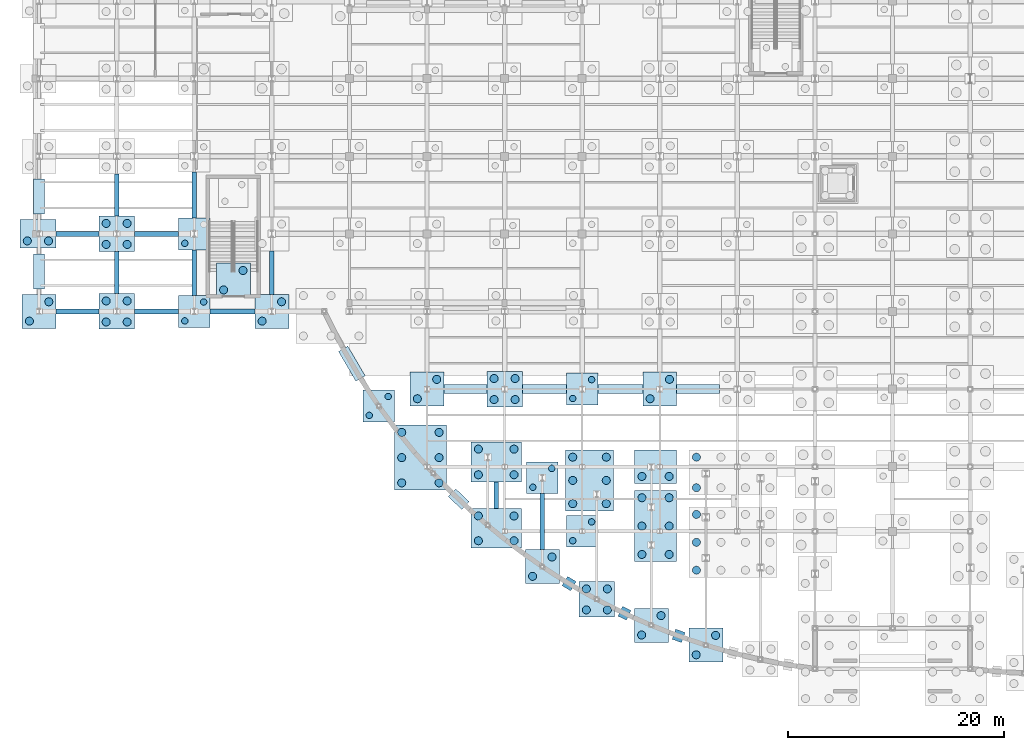
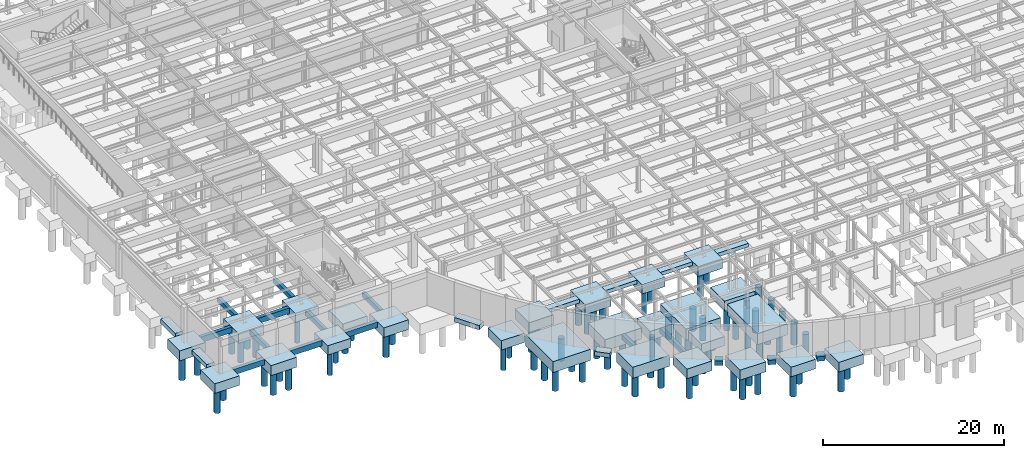
# One storey, part 1 of 64: 78 piles, 48 footings.
"""IFC4 building model written with IfcOpenShell, lengths in metres."""

from ifc_helpers import new_model, si_unit, direction, frame, origin, origin_2d, place, context, subcontext, project, spatial, rectangle, circle, extrude, material, material_profile, profile_set, type_object, element, save


model = new_model("IFC4")

# Units and contexts
model_context = context("Model", 3, precision=1e-05, world=origin(), true_north=direction((0.0, 1.0)))
body_context = subcontext(model_context, "Body", "Model", "MODEL_VIEW")
ifc_project = project(units=[si_unit("LENGTHUNIT", "METRE"), si_unit("AREAUNIT", "SQUARE_METRE"), si_unit("VOLUMEUNIT", "CUBIC_METRE"), si_unit("PLANEANGLEUNIT", "RADIAN"), si_unit("MASSUNIT", "GRAM", prefix="KILO")], contexts=[model_context])

# Site, building, storey
site_placement = place(None, origin())
site = spatial("IfcSite", under=ifc_project, at=site_placement, CompositionType="ELEMENT")
building_placement = place(site_placement, origin())
building = spatial("IfcBuilding", under=site, at=building_placement, Name="Solvadek Multi-Sports Hall", CompositionType="ELEMENT")
storey_placement = place(building_placement, frame((0.0, 0.0, -4.800048828125)))
storey = spatial("IfcBuildingStorey", under=building, at=storey_placement, Name="B1", CompositionType="ELEMENT", Elevation=-4.800048828125)

# Footings
ifc_material_1 = material(Name="Concrete M40", Category="concrete")
footing_type_1 = type_object("IfcFootingType", Name="STR-CAP-295X295X125", PredefinedType="PILE_CAP", material=ifc_material_1)
for number, where, z_axis, x_axis, name in (
    (1, (50.39990234375, 0.0, -1.25), (0.0, 0.0, 1.0), (1.0, 0.0, 0.0), "Pile Cap PC-14 #28"),
    (2, (46.697021484375, 4.960693359375, -1.25), (0.0, 0.0, 1.0), (1.0, 0.0, 0.0), "Pile Cap PC-14 #34"),
    (3, (31.51513671875, 11.63232421875, -1.25), (0.0, 0.0, 1.0), (1.0, 0.0, 0.0), "Pile Cap PC-14 #46"),
    (4, (50.39990234375, 13.199951171875, -1.25), (0.0, 0.0, 1.0), (1.0, 0.0, 0.0), "Pile Cap PC-14 #52"),
    (5, (14.39990234375, 20.39990234375, -1.25), (0.0, 0.0, 1.0), (1.0, 0.0, 0.0), "Pile Cap PC-14 #67"),
    (6, (14.39990234375, 27.60009765625, -1.25), (0.0, 0.0, 1.0), (1.0, 0.0, 0.0), "Pile Cap PC-14 #88"),
):
    element("IfcFooting", number, at=place(storey_placement, frame(where, z_axis=z_axis, x_axis=x_axis)), inside=storey, type_object=footing_type_1, Name=name, PredefinedType="PILE_CAP", context=body_context, shape_type="SweptSolid", body=[
        extrude(rectangle(XDim=2.949951171875, YDim=2.949951171875, at=origin_2d()), origin(), (0.0, 0.0, 1.0), 1.25),
    ])
footing_type_2 = type_object("IfcFootingType", Name="STR-CAP-315X315X130", PredefinedType="PILE_CAP", material=ifc_material_1)
for number, where, z_axis, x_axis, name in (
    (7, (61.87890625, -10.562744140625, -1.2998046875), (0.0, 0.0, 1.0), (1.0, 0.0, 0.0), "Pile Cap PC-15 #8"),
    (8, (56.818115234375, -8.72412109375, -1.2998046875), (0.0, 0.0, 1.0), (1.0, 0.0, 0.0), "Pile Cap PC-15 #11"),
    (9, (46.697021484375, -3.2783203125, -1.2998046875), (0.0, 0.0, 1.0), (1.0, 0.0, 0.0), "Pile Cap PC-15 #20"),
    (10, (36.0, 13.199951171875, -1.2998046875), (0.0, 0.0, 1.0), (1.0, 0.0, 0.0), "Pile Cap PC-15 #50"),
    (11, (57.60009765625, 13.199951171875, -1.2998046875), (0.0, 0.0, 1.0), (1.0, 0.0, 0.0), "Pile Cap PC-15 #53"),
    (12, (0.0, 20.39990234375, -1.2998046875), (0.0, 0.0, 1.0), (1.0, 0.0, 0.0), "Pile Cap PC-15 #65"),
    (13, (21.60009765625, 20.39990234375, -1.2998046875), (0.0, 0.0, 1.0), (1.0, 0.0, 0.0), "Pile Cap PC-15 #68"),
    (14, (18.02490234375, 23.300048828125, -1.2998046875), (0.0, 0.0, 1.0), (1.0, 0.0, 0.0), "Pile Cap PC-15 #81"),
):
    element("IfcFooting", number, at=place(storey_placement, frame(where, z_axis=z_axis, x_axis=x_axis)), inside=storey, type_object=footing_type_2, Name=name, PredefinedType="PILE_CAP", context=body_context, shape_type="SweptSolid", body=[
        extrude(rectangle(XDim=3.14990234375, YDim=3.14990234375, at=origin_2d()), origin(), (0.0, 0.0, 1.0), 1.300048828125),
    ])
footing_type_3 = type_object("IfcFootingType", Name="STR-CAP-330X330X135", PredefinedType="PILE_CAP", material=ifc_material_1)
for number, where, z_axis, x_axis, name in (
    (15, (51.757568359375, -6.323974609375, -1.35009765625), (0.0, 0.0, 1.0), (1.0, 0.0, 0.0), "Pile Cap PC-04 #12"),
    (16, (43.199951171875, 13.199951171875, -1.35009765625), (0.0, 0.0, 1.0), (1.0, 0.0, 0.0), "Pile Cap PC-04 #51"),
    (17, (7.199951171875, 20.39990234375, -1.35009765625), (0.0, 0.0, 1.0), (1.0, 0.0, 0.0), "Pile Cap PC-04 #66"),
    (18, (7.199951171875, 27.60009765625, -1.35009765625), (0.0, 0.0, 1.0), (1.0, 0.0, 0.0), "Pile Cap PC-04 #87"),
):
    element("IfcFooting", number, at=place(storey_placement, frame(where, z_axis=z_axis, x_axis=x_axis)), inside=storey, type_object=footing_type_3, Name=name, PredefinedType="PILE_CAP", context=body_context, shape_type="SweptSolid", body=[
        extrude(rectangle(XDim=3.300048828125, YDim=3.300048828125, at=origin_2d()), origin(), (0.0, 0.0, 1.0), 1.35009765625),
    ])
footing_type_4 = type_object("IfcFootingType", Name="STR-CAP-CMB-332X266", PredefinedType="PILE_CAP", material=ifc_material_1)
footing_1_placement = place(storey_placement, frame((-0.110107421875, 27.60009765625, -1.35009765625), z_axis=(0.0, 0.0, 1.0), x_axis=(1.0, 0.0, 0.0)))
element("IfcFooting", 19, at=footing_1_placement, inside=storey, type_object=footing_type_4, Name="Pile Cap PC-R86 #86", PredefinedType="PILE_CAP", context=body_context, shape_type="SweptSolid", body=[
    extrude(rectangle(XDim=3.320068359375, YDim=2.659912109375, at=origin_2d()), origin(), (0.0, 0.0, 1.0), 1.35009765625),
])
footing_type_5 = type_object("IfcFootingType", Name="STR-CAP-CMB-388X313", PredefinedType="PILE_CAP", material=ifc_material_1)
footing_2_placement = place(storey_placement, frame((57.208984375, 5.982421875, -1.35009765625), z_axis=(0.0, 0.0, 1.0), x_axis=(1.0, 0.0, 0.0)))
element("IfcFooting", 20, at=footing_2_placement, inside=storey, type_object=footing_type_5, Name="Pile Cap PC-R42 #42", PredefinedType="PILE_CAP", context=body_context, shape_type="SweptSolid", body=[
    extrude(rectangle(XDim=3.8798828125, YDim=3.1298828125, at=origin_2d()), origin(), (0.0, 0.0, 1.0), 1.35009765625),
])
footing_type_6 = type_object("IfcFootingType", Name="STR-CAP-CMB-466X365", PredefinedType="PILE_CAP", material=ifc_material_1)
footing_3_placement = place(storey_placement, frame((42.418212890625, 0.272705078125, -1.5), z_axis=(0.0, 0.0, 1.0), x_axis=(1.0, 0.0, 0.0)))
element("IfcFooting", 21, at=footing_3_placement, inside=storey, type_object=footing_type_6, Name="Pile Cap PC-R27 #27", PredefinedType="PILE_CAP", context=body_context, shape_type="SweptSolid", body=[
    extrude(rectangle(XDim=4.659912109375, YDim=3.64990234375, at=origin_2d()), origin(), (0.0, 0.0, 1.0), 1.5),
])
footing_type_7 = type_object("IfcFootingType", Name="STR-CAP-CMB-466X373", PredefinedType="PILE_CAP", material=ifc_material_1)
footing_4_placement = place(storey_placement, frame((42.418212890625, 6.436279296875, -1.5), z_axis=(0.0, 0.0, 1.0), x_axis=(1.0, 0.0, 0.0)))
element("IfcFooting", 22, at=footing_4_placement, inside=storey, type_object=footing_type_7, Name="Pile Cap PC-R43 #43", PredefinedType="PILE_CAP", context=body_context, shape_type="SweptSolid", body=[
    extrude(rectangle(XDim=4.659912109375, YDim=3.72998046875, at=origin_2d()), origin(), (0.0, 0.0, 1.0), 1.5),
])
footing_type_8 = type_object("IfcFootingType", Name="STR-CAP-CMB-566X446", PredefinedType="PILE_CAP", material=ifc_material_1)
footing_5_placement = place(storey_placement, frame((51.078857421875, 4.718994140625, -1.5), z_axis=(0.0, 0.0, 1.0), x_axis=(0.0, 1.0, 0.0)))
element("IfcFooting", 23, at=footing_5_placement, inside=storey, type_object=footing_type_8, Name="Pile Cap PC-R31 #31", PredefinedType="PILE_CAP", context=body_context, shape_type="SweptSolid", body=[
    extrude(rectangle(XDim=5.659912109375, YDim=4.4599609375, at=origin_2d()), origin(), (0.0, 0.0, 1.0), 1.5),
])
footing_type_9 = type_object("IfcFootingType", Name="STR-CAP-CMB-603X482", PredefinedType="PILE_CAP", material=ifc_material_1)
footing_6_placement = place(storey_placement, frame((35.387939453125, 6.835693359375, -1.5), z_axis=(0.0, 0.0, 1.0), x_axis=(0.0, 1.0, 0.0)))
element("IfcFooting", 24, at=footing_6_placement, inside=storey, type_object=footing_type_9, Name="Pile Cap PC-R35 #35", PredefinedType="PILE_CAP", context=body_context, shape_type="SweptSolid", body=[
    extrude(rectangle(XDim=6.030029296875, YDim=4.820068359375, at=origin_2d()), origin(), (0.0, 0.0, 1.0), 1.5),
])
footing_type_10 = type_object("IfcFootingType", Name="STR-CAP-CMB-661X388", PredefinedType="PILE_CAP", material=ifc_material_1)
footing_7_placement = place(storey_placement, frame((57.208984375, 0.48388671875, -1.5), z_axis=(0.0, 0.0, 1.0), x_axis=(0.0, 1.0, 0.0)))
element("IfcFooting", 25, at=footing_7_placement, inside=storey, type_object=footing_type_10, Name="Pile Cap PC-R24 #24", PredefinedType="PILE_CAP", context=body_context, shape_type="SweptSolid", body=[
    extrude(rectangle(XDim=6.610107421875, YDim=3.8798828125, at=origin_2d()), origin(), (0.0, 0.0, 1.0), 1.5),
])
footing_type_11 = type_object("IfcFootingType", Name="STR-FTB-400X650", PredefinedType="FOOTING_BEAM", material=ifc_material_1)
for number, where, z_axis, x_axis, name in (
    (26, (7.199951171875, 24.0, -0.64990234375), (0.0, 0.0, 1.0), (0.0, 1.0, 0.0), "Foundation Beam FB-01 #219"),
    (27, (7.199951171875, 31.199951171875, -0.64990234375), (0.0, 0.0, 1.0), (0.0, 1.0, 0.0), "Foundation Beam FB-01 #220"),
):
    element("IfcFooting", number, at=place(storey_placement, frame(where, z_axis=z_axis, x_axis=x_axis)), inside=storey, type_object=footing_type_11, Name=name, PredefinedType="FOOTING_BEAM", context=body_context, shape_type="SweptSolid", body=[
        extrude(rectangle(XDim=3.89990234375, YDim=0.39990234375, at=origin_2d()), origin(), (0.0, 0.0, 1.0), 0.64990234375),
    ])
for number, where, z_axis, x_axis, name in (
    (28, (14.39990234375, 24.0, -0.64990234375), (0.0, 0.0, 1.0), (0.0, 1.0, 0.0), "Foundation Beam FB-01 #229"),
    (29, (14.39990234375, 31.199951171875, -0.64990234375), (0.0, 0.0, 1.0), (0.0, 1.0, 0.0), "Foundation Beam FB-01 #230"),
):
    element("IfcFooting", number, at=place(storey_placement, frame(where, z_axis=z_axis, x_axis=x_axis)), inside=storey, type_object=footing_type_11, Name=name, PredefinedType="FOOTING_BEAM", context=body_context, shape_type="SweptSolid", body=[
        extrude(rectangle(XDim=4.25, YDim=0.39990234375, at=origin_2d()), origin(), (0.0, 0.0, 1.0), 0.64990234375),
    ])
footing_8_placement = place(storey_placement, frame((21.60009765625, 24.0, -0.64990234375), z_axis=(0.0, 0.0, 1.0), x_axis=(0.0, 1.0, 0.0)))
element("IfcFooting", 30, at=footing_8_placement, inside=storey, type_object=footing_type_11, Name="Foundation Beam FB-01 #238", PredefinedType="FOOTING_BEAM", context=body_context, shape_type="SweptSolid", body=[
    extrude(rectangle(XDim=4.050048828125, YDim=0.39990234375, at=origin_2d()), origin(), (0.0, 0.0, 1.0), 0.64990234375),
])
footing_9_placement = place(storey_placement, frame((42.418212890625, 3.33447265625, -0.64990234375), z_axis=(0.0, 0.0, 1.0), x_axis=(0.0, 1.0, 0.0)))
element("IfcFooting", 31, at=footing_9_placement, inside=storey, type_object=footing_type_11, Name="Foundation Beam FB-01 #274", PredefinedType="FOOTING_BEAM", context=body_context, shape_type="SweptSolid", body=[
    extrude(rectangle(XDim=2.4736328125, YDim=0.39990234375, at=origin_2d()), origin(), (0.0, 0.0, 1.0), 0.64990234375),
])
footing_10_placement = place(storey_placement, frame((46.697021484375, 0.891357421875, -0.64990234375), z_axis=(0.0, 0.0, 1.0), x_axis=(0.0, 1.0, 0.0)))
element("IfcFooting", 32, at=footing_10_placement, inside=storey, type_object=footing_type_11, Name="Foundation Beam FB-01 #288", PredefinedType="FOOTING_BEAM", context=body_context, shape_type="SweptSolid", body=[
    extrude(rectangle(XDim=5.189208984375, YDim=0.39990234375, at=origin_2d()), origin(), (0.0, 0.0, 1.0), 0.64990234375),
])
footing_type_12 = type_object("IfcFootingType", Name="STR-FTB-450X750", PredefinedType="FOOTING_BEAM", material=ifc_material_1)
footing_11_placement = place(storey_placement, frame((3.5625, 20.39990234375, -0.75), z_axis=(0.0, 0.0, 1.0), x_axis=(1.0, 0.0, 0.0)))
element("IfcFooting", 33, at=footing_11_placement, inside=storey, type_object=footing_type_12, Name="Foundation Beam FB-02 #23", PredefinedType="FOOTING_BEAM", context=body_context, shape_type="SweptSolid", body=[
    extrude(rectangle(XDim=3.97509765625, YDim=0.449951171875, at=origin_2d()), origin(), (0.0, 0.0, 1.0), 0.75),
])
footing_12_placement = place(storey_placement, frame((10.887451171875, 20.39990234375, -0.75), z_axis=(0.0, 0.0, 1.0), x_axis=(1.0, 0.0, 0.0)))
element("IfcFooting", 34, at=footing_12_placement, inside=storey, type_object=footing_type_12, Name="Foundation Beam FB-02 #24", PredefinedType="FOOTING_BEAM", context=body_context, shape_type="SweptSolid", body=[
    extrude(rectangle(XDim=4.074951171875, YDim=0.449951171875, at=origin_2d()), origin(), (0.0, 0.0, 1.0), 0.75),
])
footing_13_placement = place(storey_placement, frame((17.949951171875, 20.39990234375, -0.75), z_axis=(0.0, 0.0, 1.0), x_axis=(1.0, 0.0, 0.0)))
element("IfcFooting", 35, at=footing_13_placement, inside=storey, type_object=footing_type_12, Name="Foundation Beam FB-02 #25", PredefinedType="FOOTING_BEAM", context=body_context, shape_type="SweptSolid", body=[
    extrude(rectangle(XDim=4.14990234375, YDim=0.449951171875, at=origin_2d()), origin(), (0.0, 0.0, 1.0), 0.75),
])
footing_14_placement = place(storey_placement, frame((3.550048828125, 27.60009765625, -0.75), z_axis=(0.0, 0.0, 1.0), x_axis=(1.0, 0.0, 0.0)))
element("IfcFooting", 36, at=footing_14_placement, inside=storey, type_object=footing_type_12, Name="Foundation Beam FB-02 #39", PredefinedType="FOOTING_BEAM", context=body_context, shape_type="SweptSolid", body=[
    extrude(rectangle(XDim=4.0, YDim=0.449951171875, at=origin_2d()), origin(), (0.0, 0.0, 1.0), 0.75),
])
footing_15_placement = place(storey_placement, frame((10.887451171875, 27.60009765625, -0.75), z_axis=(0.0, 0.0, 1.0), x_axis=(1.0, 0.0, 0.0)))
element("IfcFooting", 37, at=footing_15_placement, inside=storey, type_object=footing_type_12, Name="Foundation Beam FB-02 #40", PredefinedType="FOOTING_BEAM", context=body_context, shape_type="SweptSolid", body=[
    extrude(rectangle(XDim=4.074951171875, YDim=0.449951171875, at=origin_2d()), origin(), (0.0, 0.0, 1.0), 0.75),
])

# Piles
ifc_material_2 = material(Name="Concrete M35", Category="concrete")
ifc_material_profile_1 = material_profile(ifc_material_2, circle(Radius=0.300048828125, at=origin_2d()), Name="BORED PILE D600")
ifc_profile_set_1 = profile_set([ifc_material_profile_1], Name="Concrete M35")
pile_type_1 = type_object("IfcPileType", Name="STR-PILE-D600", PredefinedType="BORED", material=ifc_profile_set_1)
for number, where, z_axis, x_axis, name in (
    (38, (49.52490234375, -0.875, -1.14990234375), (0.0, 0.0, -1.0), (1.0, 0.0, 0.0), "Bored Pile PL-600 #140"),
    (39, (51.27490234375, 0.875, -1.14990234375), (0.0, 0.0, -1.0), (1.0, 0.0, 0.0), "Bored Pile PL-600 #141"),
    (40, (45.822021484375, 4.085693359375, -1.14990234375), (0.0, 0.0, -1.0), (1.0, 0.0, 0.0), "Bored Pile PL-600 #164"),
    (41, (47.572021484375, 5.835693359375, -1.14990234375), (0.0, 0.0, -1.0), (1.0, 0.0, 0.0), "Bored Pile PL-600 #165"),
    (42, (30.64013671875, 10.75732421875, -1.14990234375), (0.0, 0.0, -1.0), (1.0, 0.0, 0.0), "Bored Pile PL-600 #208"),
    (43, (32.39013671875, 12.50732421875, -1.14990234375), (0.0, 0.0, -1.0), (1.0, 0.0, 0.0), "Bored Pile PL-600 #209"),
    (44, (49.52490234375, 12.324951171875, -1.14990234375), (0.0, 0.0, -1.0), (1.0, 0.0, 0.0), "Bored Pile PL-600 #228"),
    (45, (51.27490234375, 14.074951171875, -1.14990234375), (0.0, 0.0, -1.0), (1.0, 0.0, 0.0), "Bored Pile PL-600 #229"),
    (46, (13.52490234375, 19.52490234375, -1.14990234375), (0.0, 0.0, -1.0), (1.0, 0.0, 0.0), "Bored Pile PL-600 #272"),
    (47, (15.27490234375, 21.27490234375, -1.14990234375), (0.0, 0.0, -1.0), (1.0, 0.0, 0.0), "Bored Pile PL-600 #273"),
    (48, (13.52490234375, 26.72509765625, -1.14990234375), (0.0, 0.0, -1.0), (1.0, 0.0, 0.0), "Bored Pile PL-600 #324"),
):
    element("IfcPile", number, at=place(storey_placement, frame(where, z_axis=z_axis, x_axis=x_axis)), inside=storey, type_object=pile_type_1, Name=name, PredefinedType="BORED", context=body_context, shape_type="SweptSolid", body=[
        extrude(circle(Radius=0.300048828125, at=origin_2d()), origin(), (0.0, 0.0, 1.0), 3.25),
    ])
ifc_material_profile_2 = material_profile(ifc_material_2, circle(Radius=0.375, at=origin_2d()), Name="BORED PILE D750")
ifc_profile_set_2 = profile_set([ifc_material_profile_2], Name="Concrete M35")
pile_type_2 = type_object("IfcPileType", Name="STR-PILE-D750", PredefinedType="BORED", material=ifc_profile_set_2)
for number, where, z_axis, x_axis, name in (
    (49, (60.978759765625, -11.462646484375, -1.199951171875), (0.0, 0.0, -1.0), (1.0, 0.0, 0.0), "Bored Pile PL-750 #39"),
    (50, (62.77880859375, -9.66259765625, -1.199951171875), (0.0, 0.0, -1.0), (1.0, 0.0, 0.0), "Bored Pile PL-750 #40"),
    (51, (55.918212890625, -9.624267578125, -1.199951171875), (0.0, 0.0, -1.0), (1.0, 0.0, 0.0), "Bored Pile PL-750 #51"),
    (52, (57.71826171875, -7.82421875, -1.199951171875), (0.0, 0.0, -1.0), (1.0, 0.0, 0.0), "Bored Pile PL-750 #52"),
):
    element("IfcPile", number, at=place(storey_placement, frame(where, z_axis=z_axis, x_axis=x_axis)), inside=storey, type_object=pile_type_2, Name=name, PredefinedType="BORED", context=body_context, shape_type="SweptSolid", body=[
        extrude(circle(Radius=0.375, at=origin_2d()), origin(), (0.0, 0.0, 1.0), 3.199951171875),
    ])
for number, where, z_axis, x_axis, name in (
    (53, (50.78271484375, -7.299072265625, -1.25), (0.0, 0.0, -1.0), (1.0, 0.0, 0.0), "Bored Pile PL-750 #53"),
    (54, (50.78271484375, -5.34912109375, -1.25), (0.0, 0.0, -1.0), (1.0, 0.0, 0.0), "Bored Pile PL-750 #54"),
    (55, (52.732666015625, -7.299072265625, -1.25), (0.0, 0.0, -1.0), (1.0, 0.0, 0.0), "Bored Pile PL-750 #55"),
    (56, (52.732666015625, -5.34912109375, -1.25), (0.0, 0.0, -1.0), (1.0, 0.0, 0.0), "Bored Pile PL-750 #56"),
):
    element("IfcPile", number, at=place(storey_placement, frame(where, z_axis=z_axis, x_axis=x_axis)), inside=storey, type_object=pile_type_2, Name=name, PredefinedType="BORED", context=body_context, shape_type="SweptSolid", body=[
        extrude(circle(Radius=0.375, at=origin_2d()), origin(), (0.0, 0.0, 1.0), 3.14990234375),
    ])
for number, where, z_axis, x_axis, name in (
    (57, (61.004150390625, -3.61181640625, -1.39990234375), (0.0, 0.0, -1.0), (1.0, 0.0, 0.0), "Bored Pile PL-750 #73"),
    (58, (61.004150390625, -1.021728515625, -1.39990234375), (0.0, 0.0, -1.0), (1.0, 0.0, 0.0), "Bored Pile PL-750 #74"),
    (59, (61.004150390625, 1.568359375, -1.39990234375), (0.0, 0.0, -1.0), (1.0, 0.0, 0.0), "Bored Pile PL-750 #75"),
):
    element("IfcPile", number, at=place(storey_placement, frame(where, z_axis=z_axis, x_axis=x_axis)), inside=storey, type_object=pile_type_2, Name=name, PredefinedType="BORED", context=body_context, shape_type="SweptSolid", body=[
        extrude(circle(Radius=0.375, at=origin_2d()), origin(), (0.0, 0.0, 1.0), 3.0),
    ])
for number, where, z_axis, x_axis, name in (
    (60, (45.797119140625, -4.17822265625, -1.199951171875), (0.0, 0.0, -1.0), (1.0, 0.0, 0.0), "Bored Pile PL-750 #87"),
    (61, (47.596923828125, -2.37841796875, -1.199951171875), (0.0, 0.0, -1.0), (1.0, 0.0, 0.0), "Bored Pile PL-750 #88"),
):
    element("IfcPile", number, at=place(storey_placement, frame(where, z_axis=z_axis, x_axis=x_axis)), inside=storey, type_object=pile_type_2, Name=name, PredefinedType="BORED", context=body_context, shape_type="SweptSolid", body=[
        extrude(circle(Radius=0.375, at=origin_2d()), origin(), (0.0, 0.0, 1.0), 3.199951171875),
    ])
for number, where, z_axis, x_axis, name in (
    (62, (55.944091796875, -2.14599609375, -1.39990234375), (0.0, 0.0, -1.0), (1.0, 0.0, 0.0), "Bored Pile PL-750 #125"),
    (63, (55.944091796875, 0.48388671875, -1.39990234375), (0.0, 0.0, -1.0), (1.0, 0.0, 0.0), "Bored Pile PL-750 #126"),
    (64, (55.944091796875, 3.114013671875, -1.39990234375), (0.0, 0.0, -1.0), (1.0, 0.0, 0.0), "Bored Pile PL-750 #127"),
    (65, (58.47412109375, -2.14599609375, -1.39990234375), (0.0, 0.0, -1.0), (1.0, 0.0, 0.0), "Bored Pile PL-750 #128"),
    (66, (58.47412109375, 0.48388671875, -1.39990234375), (0.0, 0.0, -1.0), (1.0, 0.0, 0.0), "Bored Pile PL-750 #129"),
    (67, (58.47412109375, 3.114013671875, -1.39990234375), (0.0, 0.0, -1.0), (1.0, 0.0, 0.0), "Bored Pile PL-750 #130"),
    (68, (40.76318359375, -0.87744140625, -1.39990234375), (0.0, 0.0, -1.0), (1.0, 0.0, 0.0), "Bored Pile PL-750 #136"),
    (69, (40.76318359375, 1.422607421875, -1.39990234375), (0.0, 0.0, -1.0), (1.0, 0.0, 0.0), "Bored Pile PL-750 #137"),
    (70, (44.0732421875, -0.87744140625, -1.39990234375), (0.0, 0.0, -1.0), (1.0, 0.0, 0.0), "Bored Pile PL-750 #138"),
    (71, (44.0732421875, 1.422607421875, -1.39990234375), (0.0, 0.0, -1.0), (1.0, 0.0, 0.0), "Bored Pile PL-750 #139"),
    (72, (49.523681640625, 2.56396484375, -1.39990234375), (0.0, 0.0, -1.0), (1.0, 0.0, 0.0), "Bored Pile PL-750 #146"),
    (73, (49.523681640625, 4.718994140625, -1.39990234375), (0.0, 0.0, -1.0), (1.0, 0.0, 0.0), "Bored Pile PL-750 #147"),
    (74, (49.523681640625, 6.8740234375, -1.39990234375), (0.0, 0.0, -1.0), (1.0, 0.0, 0.0), "Bored Pile PL-750 #148"),
    (75, (52.6337890625, 2.56396484375, -1.39990234375), (0.0, 0.0, -1.0), (1.0, 0.0, 0.0), "Bored Pile PL-750 #149"),
    (76, (52.6337890625, 4.718994140625, -1.39990234375), (0.0, 0.0, -1.0), (1.0, 0.0, 0.0), "Bored Pile PL-750 #150"),
    (77, (52.6337890625, 6.8740234375, -1.39990234375), (0.0, 0.0, -1.0), (1.0, 0.0, 0.0), "Bored Pile PL-750 #151"),
    (78, (61.004150390625, 4.04443359375, -1.39990234375), (0.0, 0.0, -1.0), (1.0, 0.0, 0.0), "Bored Pile PL-750 #156"),
    (79, (61.004150390625, 6.87451171875, -1.39990234375), (0.0, 0.0, -1.0), (1.0, 0.0, 0.0), "Bored Pile PL-750 #157"),
    (80, (33.65283203125, 4.49560546875, -1.39990234375), (0.0, 0.0, -1.0), (1.0, 0.0, 0.0), "Bored Pile PL-750 #166"),
    (81, (33.65283203125, 6.835693359375, -1.39990234375), (0.0, 0.0, -1.0), (1.0, 0.0, 0.0), "Bored Pile PL-750 #167"),
    (82, (33.65283203125, 9.17578125, -1.39990234375), (0.0, 0.0, -1.0), (1.0, 0.0, 0.0), "Bored Pile PL-750 #168"),
    (83, (37.122802734375, 4.49560546875, -1.39990234375), (0.0, 0.0, -1.0), (1.0, 0.0, 0.0), "Bored Pile PL-750 #169"),
    (84, (37.122802734375, 6.835693359375, -1.39990234375), (0.0, 0.0, -1.0), (1.0, 0.0, 0.0), "Bored Pile PL-750 #170"),
    (85, (37.122802734375, 9.17578125, -1.39990234375), (0.0, 0.0, -1.0), (1.0, 0.0, 0.0), "Bored Pile PL-750 #171"),
):
    element("IfcPile", number, at=place(storey_placement, frame(where, z_axis=z_axis, x_axis=x_axis)), inside=storey, type_object=pile_type_2, Name=name, PredefinedType="BORED", context=body_context, shape_type="SweptSolid", body=[
        extrude(circle(Radius=0.375, at=origin_2d()), origin(), (0.0, 0.0, 1.0), 3.0),
    ])
for number, where, z_axis, x_axis, name in (
    (86, (55.944091796875, 5.092529296875, -1.25), (0.0, 0.0, -1.0), (1.0, 0.0, 0.0), "Bored Pile PL-750 #196"),
    (87, (58.47412109375, 5.092529296875, -1.25), (0.0, 0.0, -1.0), (1.0, 0.0, 0.0), "Bored Pile PL-750 #197"),
):
    element("IfcPile", number, at=place(storey_placement, frame(where, z_axis=z_axis, x_axis=x_axis)), inside=storey, type_object=pile_type_2, Name=name, PredefinedType="BORED", context=body_context, shape_type="SweptSolid", body=[
        extrude(circle(Radius=0.375, at=origin_2d()), origin(), (0.0, 0.0, 1.0), 3.14990234375),
    ])
for number, where, z_axis, x_axis, name in (
    (88, (40.76318359375, 5.246337890625, -1.39990234375), (0.0, 0.0, -1.0), (1.0, 0.0, 0.0), "Bored Pile PL-750 #198"),
    (89, (40.76318359375, 7.626220703125, -1.39990234375), (0.0, 0.0, -1.0), (1.0, 0.0, 0.0), "Bored Pile PL-750 #199"),
    (90, (44.0732421875, 5.246337890625, -1.39990234375), (0.0, 0.0, -1.0), (1.0, 0.0, 0.0), "Bored Pile PL-750 #200"),
    (91, (44.0732421875, 7.626220703125, -1.39990234375), (0.0, 0.0, -1.0), (1.0, 0.0, 0.0), "Bored Pile PL-750 #201"),
):
    element("IfcPile", number, at=place(storey_placement, frame(where, z_axis=z_axis, x_axis=x_axis)), inside=storey, type_object=pile_type_2, Name=name, PredefinedType="BORED", context=body_context, shape_type="SweptSolid", body=[
        extrude(circle(Radius=0.375, at=origin_2d()), origin(), (0.0, 0.0, 1.0), 3.0),
    ])
for number, where, z_axis, x_axis, name in (
    (92, (35.10009765625, 12.300048828125, -1.199951171875), (0.0, 0.0, -1.0), (1.0, 0.0, 0.0), "Bored Pile PL-750 #222"),
    (93, (36.89990234375, 14.10009765625, -1.199951171875), (0.0, 0.0, -1.0), (1.0, 0.0, 0.0), "Bored Pile PL-750 #223"),
):
    element("IfcPile", number, at=place(storey_placement, frame(where, z_axis=z_axis, x_axis=x_axis)), inside=storey, type_object=pile_type_2, Name=name, PredefinedType="BORED", context=body_context, shape_type="SweptSolid", body=[
        extrude(circle(Radius=0.375, at=origin_2d()), origin(), (0.0, 0.0, 1.0), 3.199951171875),
    ])
for number, where, z_axis, x_axis, name in (
    (94, (42.22509765625, 12.22509765625, -1.25), (0.0, 0.0, -1.0), (1.0, 0.0, 0.0), "Bored Pile PL-750 #224"),
    (95, (42.22509765625, 14.175048828125, -1.25), (0.0, 0.0, -1.0), (1.0, 0.0, 0.0), "Bored Pile PL-750 #225"),
    (96, (44.175048828125, 12.22509765625, -1.25), (0.0, 0.0, -1.0), (1.0, 0.0, 0.0), "Bored Pile PL-750 #226"),
    (97, (44.175048828125, 14.175048828125, -1.25), (0.0, 0.0, -1.0), (1.0, 0.0, 0.0), "Bored Pile PL-750 #227"),
):
    element("IfcPile", number, at=place(storey_placement, frame(where, z_axis=z_axis, x_axis=x_axis)), inside=storey, type_object=pile_type_2, Name=name, PredefinedType="BORED", context=body_context, shape_type="SweptSolid", body=[
        extrude(circle(Radius=0.375, at=origin_2d()), origin(), (0.0, 0.0, 1.0), 3.14990234375),
    ])
for number, where, z_axis, x_axis, name in (
    (98, (56.699951171875, 12.300048828125, -1.199951171875), (0.0, 0.0, -1.0), (1.0, 0.0, 0.0), "Bored Pile PL-750 #230"),
    (99, (58.5, 14.10009765625, -1.199951171875), (0.0, 0.0, -1.0), (1.0, 0.0, 0.0), "Bored Pile PL-750 #231"),
    (100, (-0.89990234375, 19.5, -1.199951171875), (0.0, 0.0, -1.0), (1.0, 0.0, 0.0), "Bored Pile PL-750 #266"),
    (101, (0.89990234375, 21.300048828125, -1.199951171875), (0.0, 0.0, -1.0), (1.0, 0.0, 0.0), "Bored Pile PL-750 #267"),
):
    element("IfcPile", number, at=place(storey_placement, frame(where, z_axis=z_axis, x_axis=x_axis)), inside=storey, type_object=pile_type_2, Name=name, PredefinedType="BORED", context=body_context, shape_type="SweptSolid", body=[
        extrude(circle(Radius=0.375, at=origin_2d()), origin(), (0.0, 0.0, 1.0), 3.199951171875),
    ])
for number, where, z_axis, x_axis, name in (
    (102, (6.22509765625, 19.425048828125, -1.25), (0.0, 0.0, -1.0), (1.0, 0.0, 0.0), "Bored Pile PL-750 #268"),
    (103, (6.22509765625, 21.375, -1.25), (0.0, 0.0, -1.0), (1.0, 0.0, 0.0), "Bored Pile PL-750 #269"),
    (104, (8.175048828125, 19.425048828125, -1.25), (0.0, 0.0, -1.0), (1.0, 0.0, 0.0), "Bored Pile PL-750 #270"),
    (105, (8.175048828125, 21.375, -1.25), (0.0, 0.0, -1.0), (1.0, 0.0, 0.0), "Bored Pile PL-750 #271"),
):
    element("IfcPile", number, at=place(storey_placement, frame(where, z_axis=z_axis, x_axis=x_axis)), inside=storey, type_object=pile_type_2, Name=name, PredefinedType="BORED", context=body_context, shape_type="SweptSolid", body=[
        extrude(circle(Radius=0.375, at=origin_2d()), origin(), (0.0, 0.0, 1.0), 3.14990234375),
    ])
for number, where, z_axis, x_axis, name in (
    (106, (20.699951171875, 19.5, -1.199951171875), (0.0, 0.0, -1.0), (1.0, 0.0, 0.0), "Bored Pile PL-750 #274"),
    (107, (22.5, 21.300048828125, -1.199951171875), (0.0, 0.0, -1.0), (1.0, 0.0, 0.0), "Bored Pile PL-750 #275"),
    (108, (17.125, 22.39990234375, -1.199951171875), (0.0, 0.0, -1.0), (1.0, 0.0, 0.0), "Bored Pile PL-750 #302"),
    (109, (18.925048828125, 24.199951171875, -1.199951171875), (0.0, 0.0, -1.0), (1.0, 0.0, 0.0), "Bored Pile PL-750 #303"),
):
    element("IfcPile", number, at=place(storey_placement, frame(where, z_axis=z_axis, x_axis=x_axis)), inside=storey, type_object=pile_type_2, Name=name, PredefinedType="BORED", context=body_context, shape_type="SweptSolid", body=[
        extrude(circle(Radius=0.375, at=origin_2d()), origin(), (0.0, 0.0, 1.0), 3.199951171875),
    ])
for number, where, z_axis, x_axis, name in (
    (110, (-1.094970703125, 26.945068359375, -1.25), (0.0, 0.0, -1.0), (1.0, 0.0, 0.0), "Bored Pile PL-750 #318"),
    (111, (0.875, 26.945068359375, -1.25), (0.0, 0.0, -1.0), (1.0, 0.0, 0.0), "Bored Pile PL-750 #319"),
    (112, (6.22509765625, 26.625, -1.25), (0.0, 0.0, -1.0), (1.0, 0.0, 0.0), "Bored Pile PL-750 #320"),
    (113, (6.22509765625, 28.574951171875, -1.25), (0.0, 0.0, -1.0), (1.0, 0.0, 0.0), "Bored Pile PL-750 #321"),
    (114, (8.175048828125, 26.625, -1.25), (0.0, 0.0, -1.0), (1.0, 0.0, 0.0), "Bored Pile PL-750 #322"),
    (115, (8.175048828125, 28.574951171875, -1.25), (0.0, 0.0, -1.0), (1.0, 0.0, 0.0), "Bored Pile PL-750 #323"),
):
    element("IfcPile", number, at=place(storey_placement, frame(where, z_axis=z_axis, x_axis=x_axis)), inside=storey, type_object=pile_type_2, Name=name, PredefinedType="BORED", context=body_context, shape_type="SweptSolid", body=[
        extrude(circle(Radius=0.375, at=origin_2d()), origin(), (0.0, 0.0, 1.0), 3.14990234375),
    ])

# Footings
footing_type_13 = type_object("IfcFootingType", Name="STR-SFT-1000X600", PredefinedType="STRIP_FOOTING", material=ifc_material_1)
footing_16_placement = place(storey_placement, frame((29.02490234375, 15.556640625, -0.60009765625), z_axis=(0.0, 0.0, 1.0), x_axis=(0.504979627488, -0.86313126222, 0.0)))
element("IfcFooting", 116, at=footing_16_placement, inside=storey, type_object=footing_type_13, Name="Perimeter Retaining Wall Strip Footing #434", PredefinedType="STRIP_FOOTING", context=body_context, shape_type="SweptSolid", body=[
    extrude(rectangle(XDim=3.181884765625, YDim=1.0, at=origin_2d()), origin(), (0.0, 0.0, 1.0), 0.60009765625),
])
footing_17_placement = place(storey_placement, frame((38.943115234375, 2.984375, -0.60009765625), z_axis=(0.0, 0.0, 1.0), x_axis=(0.724773392198, -0.688987322062, 0.0)))
element("IfcFooting", 117, at=footing_17_placement, inside=storey, type_object=footing_type_13, Name="Perimeter Retaining Wall Strip Footing #435", PredefinedType="STRIP_FOOTING", context=body_context, shape_type="SweptSolid", body=[
    extrude(rectangle(XDim=1.72509765625, YDim=1.0, at=origin_2d()), origin(), (0.0, 0.0, 1.0), 0.60009765625),
])
footing_18_placement = place(storey_placement, frame((49.189697265625, -4.8564453125, -0.60009765625), z_axis=(0.0, 0.0, 1.0), x_axis=(0.857167300702, -0.51503807491, 0.0)))
element("IfcFooting", 118, at=footing_18_placement, inside=storey, type_object=footing_type_13, Name="Perimeter Retaining Wall Strip Footing #436", PredefinedType="STRIP_FOOTING", context=body_context, shape_type="SweptSolid", body=[
    extrude(rectangle(XDim=0.927978515625, YDim=1.0, at=origin_2d()), origin(), (0.0, 0.0, 1.0), 0.60009765625),
])
footing_19_placement = place(storey_placement, frame((54.325439453125, -7.608154296875, -0.60009765625), z_axis=(0.0, 0.0, 1.0), x_axis=(0.903709265369, -0.428146661421, 0.0)))
element("IfcFooting", 119, at=footing_19_placement, inside=storey, type_object=footing_type_13, Name="Perimeter Retaining Wall Strip Footing #437", PredefinedType="STRIP_FOOTING", context=body_context, shape_type="SweptSolid", body=[
    extrude(rectangle(XDim=0.8798828125, YDim=1.0, at=origin_2d()), origin(), (0.0, 0.0, 1.0), 0.60009765625),
])
footing_20_placement = place(storey_placement, frame((59.348388671875, -9.702392578125, -0.60009765625), z_axis=(0.0, 0.0, 1.0), x_axis=(0.93999073182, -0.341199976689, 0.0)))
element("IfcFooting", 120, at=footing_20_placement, inside=storey, type_object=footing_type_13, Name="Perimeter Retaining Wall Strip Footing #438", PredefinedType="STRIP_FOOTING", context=body_context, shape_type="SweptSolid", body=[
    extrude(rectangle(XDim=0.926025390625, YDim=1.0, at=origin_2d()), origin(), (0.0, 0.0, 1.0), 0.60009765625),
])
for number, where, z_axis, x_axis, name in (
    (121, (0.0, 31.077392578125, -0.60009765625), (0.0, 0.0, 1.0), (0.0, -1.0, 0.0), "Perimeter Retaining Wall Strip Footing #461"),
    (122, (0.0, 24.12255859375, -0.60009765625), (0.0, 0.0, 1.0), (0.0, -1.0, 0.0), "Perimeter Retaining Wall Strip Footing #462"),
):
    element("IfcFooting", number, at=place(storey_placement, frame(where, z_axis=z_axis, x_axis=x_axis)), inside=storey, type_object=footing_type_13, Name=name, PredefinedType="STRIP_FOOTING", context=body_context, shape_type="SweptSolid", body=[
        extrude(rectangle(XDim=3.2548828125, YDim=1.0, at=origin_2d()), origin(), (0.0, 0.0, 1.0), 0.60009765625),
    ])
footing_type_14 = type_object("IfcFootingType", Name="STR-SFT-800X500", PredefinedType="STRIP_FOOTING", material=ifc_material_1)
footing_21_placement = place(storey_placement, frame((39.5625, 13.199951171875, -0.5), z_axis=(0.0, 0.0, 1.0), x_axis=(1.0, 0.0, 0.0)))
element("IfcFooting", 123, at=footing_21_placement, inside=storey, type_object=footing_type_14, Name="Foundation Beam SF-01 #11", PredefinedType="STRIP_FOOTING", context=body_context, shape_type="SweptSolid", body=[
    extrude(rectangle(XDim=3.97509765625, YDim=0.800048828125, at=origin_2d()), origin(), (0.0, 0.0, 1.0), 0.5),
])
footing_22_placement = place(storey_placement, frame((46.887451171875, 13.199951171875, -0.5), z_axis=(0.0, 0.0, 1.0), x_axis=(1.0, 0.0, 0.0)))
element("IfcFooting", 124, at=footing_22_placement, inside=storey, type_object=footing_type_14, Name="Foundation Beam SF-01 #12", PredefinedType="STRIP_FOOTING", context=body_context, shape_type="SweptSolid", body=[
    extrude(rectangle(XDim=4.074951171875, YDim=0.800048828125, at=origin_2d()), origin(), (0.0, 0.0, 1.0), 0.5),
])
footing_23_placement = place(storey_placement, frame((53.949951171875, 13.199951171875, -0.5), z_axis=(0.0, 0.0, 1.0), x_axis=(1.0, 0.0, 0.0)))
element("IfcFooting", 125, at=footing_23_placement, inside=storey, type_object=footing_type_14, Name="Foundation Beam SF-01 #13", PredefinedType="STRIP_FOOTING", context=body_context, shape_type="SweptSolid", body=[
    extrude(rectangle(XDim=4.14990234375, YDim=0.800048828125, at=origin_2d()), origin(), (0.0, 0.0, 1.0), 0.5),
])
footing_24_placement = place(storey_placement, frame((61.16259765625, 13.199951171875, -0.5), z_axis=(0.0, 0.0, 1.0), x_axis=(1.0, 0.0, 0.0)))
element("IfcFooting", 126, at=footing_24_placement, inside=storey, type_object=footing_type_14, Name="Foundation Beam SF-01 #14", PredefinedType="STRIP_FOOTING", context=body_context, shape_type="SweptSolid", body=[
    extrude(rectangle(XDim=3.97509765625, YDim=0.800048828125, at=origin_2d()), origin(), (0.0, 0.0, 1.0), 0.5),
])

save(model, "model.ifc")
